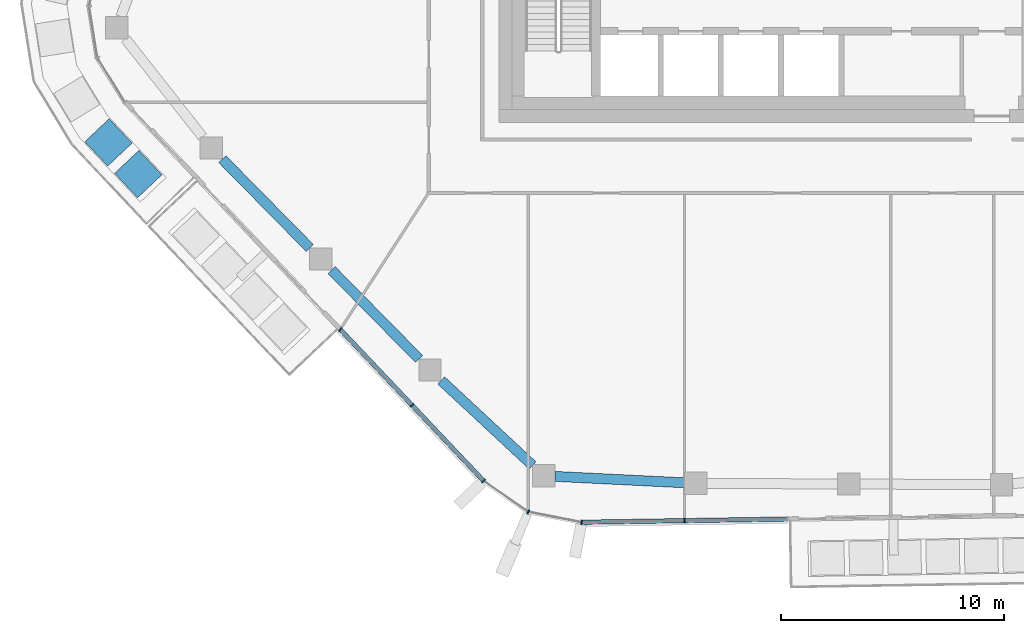
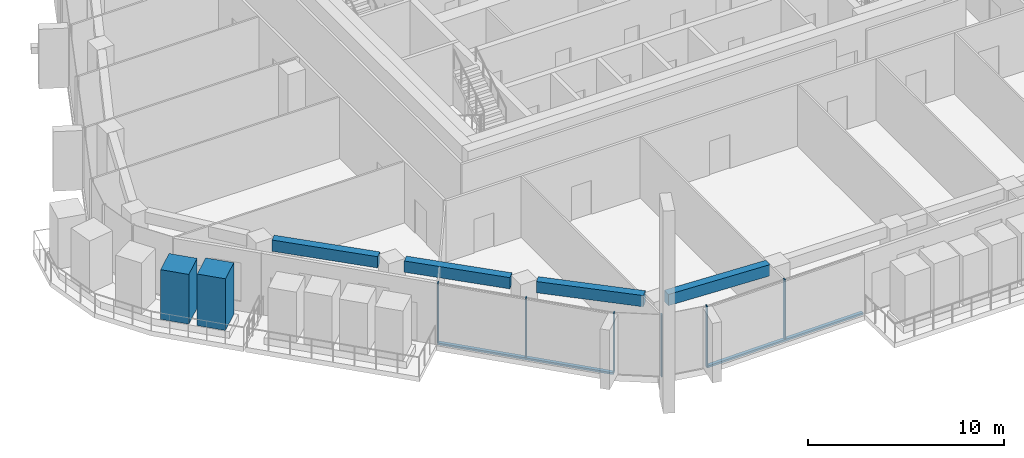
# One storey, part 2 of 24: 10 members, 4 beams, 3 elements without a shape of their own.
"""IFC4 building model written with IfcOpenShell, lengths in metres."""

from ifc_helpers import new_model, si_unit, direction, frame, origin, origin_2d, place, context, subcontext, project, spatial, rectangle, extrude, material, layer, layer_set, material_profile, profile_set, type_object, element, aggregate, save


model = new_model("IFC4")

# Units and contexts
model_context = context("Model", 3, precision=1e-05, world=origin(), true_north=direction((0.0, 1.0)))
body_context = subcontext(model_context, "Body", "Model", "MODEL_VIEW")
ifc_project = project(units=[si_unit("LENGTHUNIT", "METRE"), si_unit("AREAUNIT", "SQUARE_METRE"), si_unit("VOLUMEUNIT", "CUBIC_METRE"), si_unit("PLANEANGLEUNIT", "RADIAN"), si_unit("MASSUNIT", "GRAM", prefix="KILO")], contexts=[model_context])

# Site, building, storey
site_placement = place(None, origin())
site = spatial("IfcSite", under=ifc_project, at=site_placement, CompositionType="ELEMENT")
building_placement = place(site_placement, origin())
building = spatial("IfcBuilding", under=site, at=building_placement, Name="Dongbaek Canopy Tower", CompositionType="ELEMENT")
storey_placement = place(building_placement, frame((0.0, 0.0, 294.199951171875)))
storey = spatial("IfcBuildingStorey", under=building, at=storey_placement, Name="L62", CompositionType="ELEMENT", Elevation=294.199951171875)

# Curtain wall, members
ifc_material_1 = material(Name="Aluminium 6063-T6 pale anodised", Category="aluminium")
ifc_layer = layer(ifc_material_1, 0.199951171875)
ifc_layer_set = layer_set([ifc_layer], Name="CW-1 unitised tower curtain wall")
curtain_wall_type = type_object("IfcCurtainWallType", Name="CW-1 unitised tower curtain wall", PredefinedType="NOTDEFINED", material=ifc_layer_set)
curtain_wall_1_placement = place(storey_placement, origin())
curtain_wall_1 = element("IfcCurtainWall", 1, at=curtain_wall_1_placement, inside=storey, type_object=curtain_wall_type, Name="CW-1 curtain wall F3.1", PredefinedType="NOTDEFINED")
ifc_material_2 = material(Name="Aluminium 6063-T6 pale anodised", Category="aluminium")
ifc_material_profile_1 = material_profile(ifc_material_2, rectangle(XDim=0.199951171875, YDim=0.06005859375, at=origin_2d()), Name="CW-1 mullion 60 x 200")
ifc_profile_set_1 = profile_set([ifc_material_profile_1], Name="Aluminium 6063-T6 pale anodised")
member_type_1 = type_object("IfcMemberType", Name="CW-1 mullion 60 x 200", PredefinedType="MULLION", material=ifc_profile_set_1)
member_1_placement = place(storey_placement, frame((-21.110107421875, -20.26953125, 0.1201171875), z_axis=(0.0, 0.0, 1.0), x_axis=(-0.72635486076, -0.687319879132, 0.0)))
member_1 = element("IfcMember", 2, at=member_1_placement, type_object=member_type_1, Name="CW-1 mullion F3.1.1", PredefinedType="MULLION", context=body_context, shape_type="SweptSolid", body=[
    extrude(rectangle(XDim=0.199951171875, YDim=0.06005859375, at=origin_2d()), origin(), (0.0, 0.0, 1.0), 3.699951171875),
])
member_2_placement = place(storey_placement, frame((-17.893310546875, -23.6689453125, 0.1201171875), z_axis=(0.0, 0.0, 1.0), x_axis=(-0.72635486076, -0.687319879132, 0.0)))
member_2 = element("IfcMember", 3, at=member_2_placement, type_object=member_type_1, Name="CW-1 mullion F3.1.2", PredefinedType="MULLION", context=body_context, shape_type="SweptSolid", body=[
    extrude(rectangle(XDim=0.199951171875, YDim=0.06005859375, at=origin_2d()), origin(), (0.0, 0.0, 1.0), 3.699951171875),
])
member_3_placement = place(storey_placement, frame((-14.683837890625, -27.060546875, 0.1201171875), z_axis=(0.0, 0.0, 1.0), x_axis=(-0.72635486076, -0.687319879132, 0.0)))
member_3 = element("IfcMember", 4, at=member_3_placement, type_object=member_type_1, Name="CW-1 mullion F3.1.3", PredefinedType="MULLION", context=body_context, shape_type="SweptSolid", body=[
    extrude(rectangle(XDim=0.199951171875, YDim=0.06005859375, at=origin_2d()), origin(), (0.0, 0.0, 1.0), 3.699951171875),
])

curtain_wall_2_placement = place(storey_placement, origin())
curtain_wall_2 = element("IfcCurtainWall", 5, at=curtain_wall_2_placement, inside=storey, type_object=curtain_wall_type, Name="CW-1 curtain wall K4.1", PredefinedType="NOTDEFINED")
member_4_placement = place(storey_placement, frame((-12.6806640625, -28.4482421875, 0.0), z_axis=(0.0, 0.0, 1.0), x_axis=(-0.388183293071, -0.921582188945, 0.0)))
member_4 = element("IfcMember", 6, at=member_4_placement, type_object=member_type_1, Name="CW-1 mullion K4.1.2", PredefinedType="MULLION", context=body_context, shape_type="SweptSolid", body=[
    extrude(rectangle(XDim=0.199951171875, YDim=0.06005859375, at=origin_2d()), origin(), (0.0, 0.0, 1.0), 3.820068359375),
])
member_5_placement = place(storey_placement, frame((-10.2880859375, -28.912109375, 0.0), z_axis=(0.0, 0.0, 1.0), x_axis=(-0.190319354711, -0.981722233232, 0.0)))
member_5 = element("IfcMember", 7, at=member_5_placement, type_object=member_type_1, Name="CW-1 mullion K4.1.3", PredefinedType="MULLION", context=body_context, shape_type="SweptSolid", body=[
    extrude(rectangle(XDim=0.199951171875, YDim=0.06005859375, at=origin_2d()), origin(), (0.0, 0.0, 1.0), 3.820068359375),
])
aggregate(curtain_wall_2, [member_4, member_5])

# Curtain wall, member
curtain_wall_3_placement = place(storey_placement, origin())
curtain_wall_3 = element("IfcCurtainWall", 8, at=curtain_wall_3_placement, inside=storey, type_object=curtain_wall_type, Name="CW-1 curtain wall F4.1", PredefinedType="NOTDEFINED")
member_6_placement = place(storey_placement, frame((-5.6767578125, -28.83984375, 0.1201171875), z_axis=(0.0, 0.0, 1.0), x_axis=(0.015683964455, -0.999876999065, 0.0)))
member_6 = element("IfcMember", 9, at=member_6_placement, type_object=member_type_1, Name="CW-1 mullion F4.1.2", PredefinedType="MULLION", context=body_context, shape_type="SweptSolid", body=[
    extrude(rectangle(XDim=0.199951171875, YDim=0.06005859375, at=origin_2d()), origin(), (0.0, 0.0, 1.0), 3.699951171875),
])

# Member
ifc_material_3 = material(Name="Aluminium 6063-T6 pale anodised", Category="aluminium")
ifc_material_profile_2 = material_profile(ifc_material_3, rectangle(XDim=0.199951171875, YDim=0.1201171875, at=origin_2d()), Name="CW-1 transom 120 x 200")
ifc_profile_set_2 = profile_set([ifc_material_profile_2], Name="Aluminium 6063-T6 pale anodised")
member_type_2 = type_object("IfcMemberType", Name="CW-1 transom 120 x 200", PredefinedType="USERDEFINED", material=ifc_profile_set_2)
member_7_placement = place(storey_placement, frame((-21.110107421875, -20.26953125, 0.06005859375), z_axis=(0.687331693276, -0.726343681337, 0.0), x_axis=(0.726343681337, 0.687331693276, 0.0)))
member_7 = element("IfcMember", 10, at=member_7_placement, type_object=member_type_2, Name="CW-1 transom F3.1.1", ObjectType="TRANSOM", PredefinedType="USERDEFINED", context=body_context, shape_type="SweptSolid", body=[
    extrude(rectangle(XDim=0.199951171875, YDim=0.1201171875, at=origin_2d()), origin(), (0.0, 0.0, 1.0), 9.349609375),
])

aggregate(curtain_wall_1, [member_1, member_2, member_3, member_7])

member_8_placement = place(storey_placement, frame((-10.2880859375, -28.912109375, 0.06005859375), z_axis=(0.999877092259, 0.015678022045, 0.0), x_axis=(-0.015678022045, 0.999877092259, 0.0)))
member_8 = element("IfcMember", 11, at=member_8_placement, type_object=member_type_2, Name="CW-1 transom F4.1.1", ObjectType="TRANSOM", PredefinedType="USERDEFINED", context=body_context, shape_type="SweptSolid", body=[
    extrude(rectangle(XDim=0.199951171875, YDim=0.1201171875, at=origin_2d()), origin(), (0.0, 0.0, 1.0), 9.234375),
])

aggregate(curtain_wall_3, [member_6, member_8])

# Beams
ifc_material_4 = material(Name="Concrete C60", Category="concrete")
ifc_material_profile_3 = material_profile(ifc_material_4, rectangle(XDim=0.449951171875, YDim=0.699951171875, at=origin_2d()), Name="RC EDGE BEAM 450x700 C60")
ifc_profile_set_3 = profile_set([ifc_material_profile_3], Name="Concrete C60")
beam_type = type_object("IfcBeamType", Name="RC EDGE BEAM 450x700 C60", PredefinedType="BEAM", material=ifc_profile_set_3)
beam_1_placement = place(storey_placement, frame((-5.666015625, -27.142333984375, 3.469970703125), z_axis=(-0.998789160621, 0.049195656579, 0.0), x_axis=(-0.049195656579, -0.998789160621, 0.0)))
element("IfcBeam", 12, at=beam_1_placement, inside=storey, type_object=beam_type, Name="EDGEBEAM:L62:03", PredefinedType="BEAM", context=body_context, shape_type="SweptSolid", body=[
    extrude(rectangle(XDim=0.449951171875, YDim=0.699951171875, at=origin_2d()), origin(), (0.0, 0.0, 1.0), 5.826171875),
])
beam_2_placement = place(storey_placement, frame((-12.485107421875, -26.365966796875, 3.469970703125), z_axis=(-0.732266655485, 0.681018021248, 0.0), x_axis=(-0.681018021248, -0.732266655485, 0.0)))
element("IfcBeam", 13, at=beam_2_placement, inside=storey, type_object=beam_type, Name="EDGEBEAM:L62:04", PredefinedType="BEAM", context=body_context, shape_type="SweptSolid", body=[
    extrude(rectangle(XDim=0.449951171875, YDim=0.699951171875, at=origin_2d()), origin(), (0.0, 0.0, 1.0), 5.597412109375),
])
beam_3_placement = place(storey_placement, frame((-17.576416015625, -21.589111328125, 3.469970703125), z_axis=(-0.701706740597, 0.712465894062, 0.0), x_axis=(-0.712465894062, -0.701706740597, 0.0)))
element("IfcBeam", 14, at=beam_3_placement, inside=storey, type_object=beam_type, Name="EDGEBEAM:L62:05", PredefinedType="BEAM", context=body_context, shape_type="SweptSolid", body=[
    extrude(rectangle(XDim=0.449951171875, YDim=0.699951171875, at=origin_2d()), origin(), (0.0, 0.0, 1.0), 5.58203125),
])
beam_4_placement = place(storey_placement, frame((-22.478515625, -16.612060546875, 3.469970703125), z_axis=(-0.701708081315, 0.712464573588, 0.0), x_axis=(-0.712464573588, -0.701708081315, 0.0)))
element("IfcBeam", 15, at=beam_4_placement, inside=storey, type_object=beam_type, Name="EDGEBEAM:L62:06", PredefinedType="BEAM", context=body_context, shape_type="SweptSolid", body=[
    extrude(rectangle(XDim=0.449951171875, YDim=0.699951171875, at=origin_2d()), origin(), (0.0, 0.0, 1.0), 5.58349609375),
])

# Members
ifc_material_5 = material(Name="Concrete C40/50 planter mass with planting", Category="concrete")
ifc_material_profile_4 = material_profile(ifc_material_5, rectangle(XDim=1.5, YDim=1.5, at=origin_2d()), Name="Terrace PLANTER shrub mass 1500 x 1500")
ifc_profile_set_4 = profile_set([ifc_material_profile_4], Name="Concrete C40/50 planter mass with planting")
member_type_3 = type_object("IfcMemberType", Name="Terrace PLANTER shrub mass 1500 x 1500", PredefinedType="USERDEFINED", material=ifc_profile_set_4)
member_9_placement = place(storey_placement, frame((-31.501708984375, -11.882568359375, 0.420166015625), z_axis=(0.0, 0.0, 1.0), x_axis=(-0.72784481532, -0.685741879144, 0.0)))
element("IfcMember", 16, at=member_9_placement, inside=storey, type_object=member_type_3, Name="Planter shrubs L62 7.4", ObjectType="PLANTER", PredefinedType="USERDEFINED", context=body_context, shape_type="SweptSolid", body=[
    extrude(rectangle(XDim=1.5, YDim=1.5, at=origin_2d()), origin(), (0.0, 0.0, 1.0), 3.08984375),
])
member_10_placement = place(storey_placement, frame((-30.164794921875, -13.301513671875, 0.420166015625), z_axis=(0.0, 0.0, 1.0), x_axis=(-0.72784481532, -0.685741879144, 0.0)))
element("IfcMember", 17, at=member_10_placement, inside=storey, type_object=member_type_3, Name="Planter shrubs L62 7.5", ObjectType="PLANTER", PredefinedType="USERDEFINED", context=body_context, shape_type="SweptSolid", body=[
    extrude(rectangle(XDim=1.5, YDim=1.5, at=origin_2d()), origin(), (0.0, 0.0, 1.0), 3.2099609375),
])

save(model, "model.ifc")
